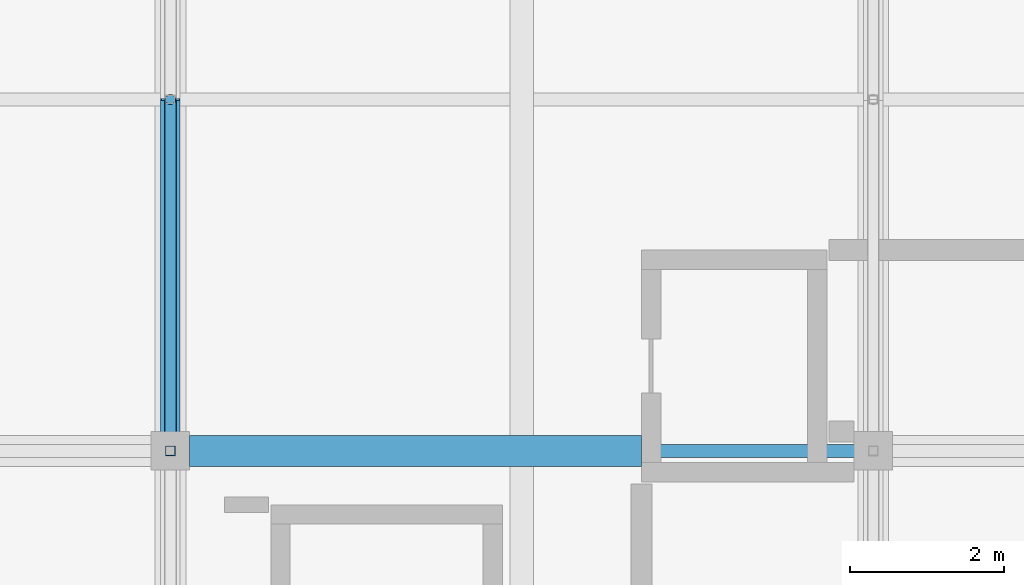
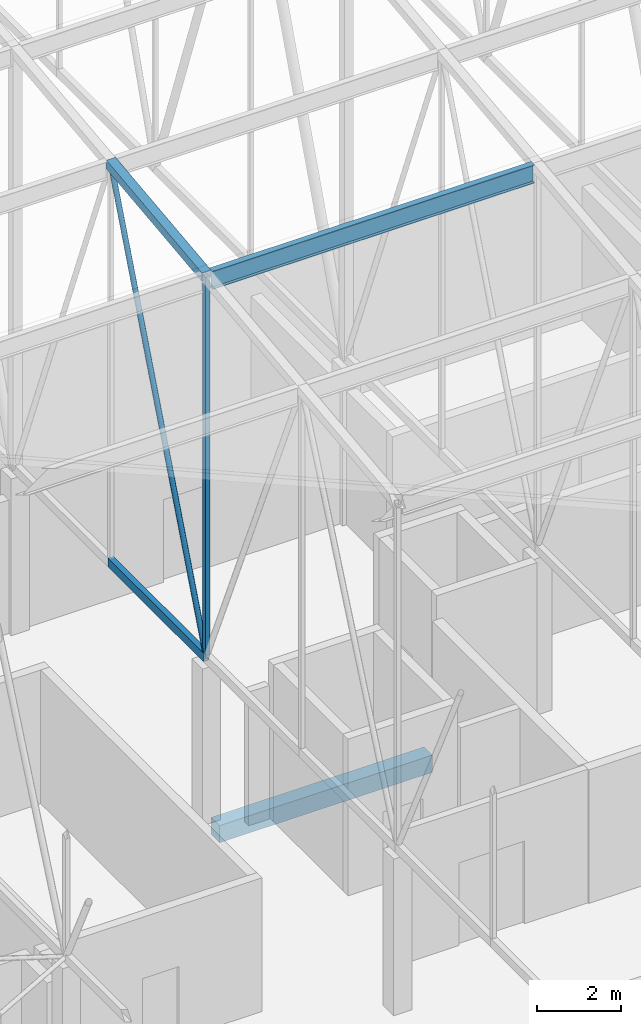
# One storey, part 54 of 500: 5 members, 1 beam.
"""IFC4 building model written with IfcOpenShell, lengths in metres."""

import ifcopenshell
import ifcopenshell.guid

model = None  # the IFC model being written
_history = None  # IfcOwnerHistory: only IFC2X3 demands one
_inside = {}  # id of a spatial element -> (the spatial element, [elements in it])
_under = {}  # id of a project, library or spatial element -> (it, [spatial elements below it])
_declared = {}  # id of a project -> (the project, [libraries it declares])
_typed = {}  # id of a type object -> (the type object, [elements of that type])
_made_of = {}  # id of a material, layer set ... -> (it, [elements and type objects made of it])


def new_model(schema):
    """Start an empty IFC model of exactly this schema.

    Asked for "IFC4X3", IfcOpenShell would pick the latest addendum, in which some entities
    have other attributes; the version numbers below select the first issue.
    IFC2X3 requires an IfcOwnerHistory on every rooted entity: one is made here for all.
    """
    global model, _history
    if schema == "IFC4X3":
        model = ifcopenshell.file(schema_version=(4, 3, 0, 0))
    else:
        model = ifcopenshell.file(schema=schema)
    _inside.clear()
    _under.clear()
    _declared.clear()
    _typed.clear()
    _made_of.clear()
    _history = None
    if model.schema == "IFC2X3":
        org = make("IfcOrganization", Name="unknown")
        user = make(
            "IfcPersonAndOrganization",
            ThePerson=make("IfcPerson", FamilyName="unknown"),
            TheOrganization=org,
        )
        app = make(
            "IfcApplication",
            ApplicationDeveloper=org,
            Version="unknown",
            ApplicationFullName="unknown",
            ApplicationIdentifier="unknown",
        )
        _history = make(
            "IfcOwnerHistory",
            OwningUser=user,
            OwningApplication=app,
            ChangeAction="ADDED",
            CreationDate=0,
        )
    return model


def make(cls, **values):
    """One entity of the class cls with the attributes given. An attribute that is None is left unset."""
    return model.create_entity(
        cls, **{name: value for name, value in values.items() if value is not None}
    )


def rooted(cls, **values):
    """An entity with a GlobalId (a new one), such as an element, a storey or a relation."""
    return make(cls, GlobalId=ifcopenshell.guid.new(), OwnerHistory=_history, **values)


def si_unit(unit_type, name, prefix=None):
    """IfcSIUnit, for example si_unit("LENGTHUNIT", "METRE", prefix="MILLI")."""
    return make("IfcSIUnit", UnitType=unit_type, Prefix=prefix, Name=name)


def assignment(units):
    """IfcUnitAssignment: the units of a project."""
    return None if units is None else make("IfcUnitAssignment", Units=units)


def point(xyz):
    """IfcCartesianPoint."""
    return None if xyz is None else make("IfcCartesianPoint", Coordinates=xyz)


def direction(xyz):
    """IfcDirection."""
    return None if xyz is None else make("IfcDirection", DirectionRatios=xyz)


def frame(location, z_axis=None, x_axis=None):
    """IfcAxis2Placement3D, a coordinate frame: its origin and axes. An axis left out is left unset."""
    return make(
        "IfcAxis2Placement3D",
        Location=point(location),
        Axis=direction(z_axis),
        RefDirection=direction(x_axis),
    )


def frame_2d(location, x_axis=None):
    """IfcAxis2Placement2D, a coordinate frame in the plane: its origin and x axis."""
    return make(
        "IfcAxis2Placement2D", Location=point(location), RefDirection=direction(x_axis)
    )


def origin():
    """The frame at (0, 0, 0) with its axes left unset."""
    return frame((0.0, 0.0, 0.0))


def origin_2d():
    """The frame at (0, 0) in the plane with its x axis left unset."""
    return frame_2d((0.0, 0.0))


def place(relative_to, where):
    """IfcLocalPlacement: puts the frame where relative to a parent placement (None: the world)."""
    return make(
        "IfcLocalPlacement", PlacementRelTo=relative_to, RelativePlacement=where
    )


def context(
    kind, dimensions, precision=None, world=None, true_north=None, identifier=None
):
    """IfcGeometricRepresentationContext, for example the 3D "Model" context."""
    return make(
        "IfcGeometricRepresentationContext",
        ContextIdentifier=identifier,
        ContextType=kind,
        CoordinateSpaceDimension=dimensions,
        Precision=precision,
        WorldCoordinateSystem=world,
        TrueNorth=true_north,
    )


def subcontext(parent, identifier, kind, view, scale=None):
    """IfcGeometricRepresentationSubContext, for example "Body" below "Model"."""
    return make(
        "IfcGeometricRepresentationSubContext",
        ContextIdentifier=identifier,
        ContextType=kind,
        ParentContext=parent,
        TargetScale=scale,
        TargetView=view,
    )


def project(units=None, contexts=None):
    """IfcProject with its units and contexts."""
    return rooted(
        "IfcProject",
        Name="project",
        RepresentationContexts=contexts,
        UnitsInContext=assignment(units),
    )


def spatial(cls, under=None, at=None, **own):
    """A site, building, storey or space (cls), placed at a placement, below another one or the project."""
    s = rooted(cls, ObjectPlacement=at, **own)
    if under is not None:
        _under.setdefault(under.id(), (under, []))[1].append(s)
    return s


def profile(cls, at=None, kind="AREA", **sizes):
    """A parametric profile (cls). Its sizes go by their IFC names, for example OverallWidth=200.0."""
    return make(cls, ProfileType=kind, Position=at, **sizes)


def rectangle(**sizes):
    """IfcRectangleProfileDef."""
    return profile("IfcRectangleProfileDef", **sizes)


def hollow_rectangle(**sizes):
    """IfcRectangleHollowProfileDef."""
    return profile("IfcRectangleHollowProfileDef", **sizes)


def hollow_circle(**sizes):
    """IfcCircleHollowProfileDef."""
    return profile("IfcCircleHollowProfileDef", **sizes)


def i_section(**sizes):
    """IfcIShapeProfileDef."""
    return profile("IfcIShapeProfileDef", **sizes)


def extrude(swept, where, along, depth):
    """IfcExtrudedAreaSolid: the profile swept, set in the frame where, extruded along a direction by depth."""
    return make(
        "IfcExtrudedAreaSolid",
        SweptArea=swept,
        Position=where,
        ExtrudedDirection=direction(along),
        Depth=depth,
    )


def shape(context_of_items, identifier, shape_type, items):
    """IfcShapeRepresentation: the items that make up one representation, for example the "Body"."""
    return make(
        "IfcShapeRepresentation",
        ContextOfItems=context_of_items,
        RepresentationIdentifier=identifier,
        RepresentationType=shape_type,
        Items=items,
    )


def material(Name=None, Category=None):
    """IfcMaterial."""
    return make("IfcMaterial", Name=Name, Category=Category)


def material_profile(
    of_material, cross_section, Name=None, Category=None, Priority=None
):
    """IfcMaterialProfile: a cross section and its material."""
    return make(
        "IfcMaterialProfile",
        Name=Name,
        Material=of_material,
        Profile=cross_section,
        Priority=Priority,
        Category=Category,
    )


def profile_set(profiles, Name=None, composite=None):
    """IfcMaterialProfileSet."""
    return make(
        "IfcMaterialProfileSet",
        Name=Name,
        MaterialProfiles=profiles,
        CompositeProfile=composite,
    )


def made_of(thing, what):
    """Note that an element or type object is made of a material, layer set ...; save() writes the relation."""
    if what is not None:
        _made_of.setdefault(what.id(), (what, []))[1].append(thing)
    return thing


def type_object(cls, material=None, **own):
    """A type object (cls), such as IfcWallType, which elements share."""
    return made_of(rooted(cls, **own), material)


def element(
    cls,
    number,
    at=None,
    inside=None,
    cuts=None,
    type_object=None,
    material=None,
    context=None,
    identifier="Body",
    shape_type=None,
    held_by="IfcProductDefinitionShape",
    body=None,
    shapes=None,
    **own,
):
    """One element of the class cls, such as IfcWall. Its Tag is "e" and its number.

    at: its placement. inside: the storey or other place that contains it. cuts: it is an
    opening in that element (IfcRelVoidsElement). A single representation is given by context,
    identifier, shape_type and body (its items); several are given by shapes. held_by: the class
    of the entity that holds the representations. save() writes the other relations.
    """
    e = rooted(cls, Tag="e%d" % number, ObjectPlacement=at, **own)
    if body is not None:
        shapes = [shape(context, identifier, shape_type, body)]
    if shapes is not None:
        e.Representation = make(held_by, Representations=shapes)
    if inside is not None:
        _inside.setdefault(inside.id(), (inside, []))[1].append(e)
    if cuts is not None:
        rooted(
            "IfcRelVoidsElement", RelatingBuildingElement=cuts, RelatedOpeningElement=e
        )
    if type_object is not None:
        _typed.setdefault(type_object.id(), (type_object, []))[1].append(e)
    return made_of(e, material)


def aggregate(whole, parts):
    """IfcRelAggregates: a whole, such as a stair, and the parts it consists of."""
    return rooted("IfcRelAggregates", RelatingObject=whole, RelatedObjects=parts)


def save(model, path):
    """Write the relations noted so far, then the file.

    IfcRelAggregates (storeys below a building ...), IfcRelContainedInSpatialStructure (elements
    in a storey), IfcRelDefinesByType, IfcRelAssociatesMaterial and IfcRelDeclares: one each for
    every whole, place, type object, material and project.
    """
    for whole, parts in _under.values():
        aggregate(whole, parts)
    for where, things in _inside.values():
        rooted(
            "IfcRelContainedInSpatialStructure",
            RelatedElements=things,
            RelatingStructure=where,
        )
    for kind, things in _typed.values():
        rooted("IfcRelDefinesByType", RelatedObjects=things, RelatingType=kind)
    for what, things in _made_of.values():
        rooted("IfcRelAssociatesMaterial", RelatedObjects=things, RelatingMaterial=what)
    for by, libraries in _declared.values():
        rooted("IfcRelDeclares", RelatingContext=by, RelatedDefinitions=libraries)
    model.write(path)


model = new_model("IFC4")

# Units and contexts
model_context = context("Model", 3, precision=1e-05, world=origin(), true_north=direction((0.0, 1.0)))
body_context = subcontext(model_context, "Body", "Model", "MODEL_VIEW")
ifc_project = project(units=[si_unit("LENGTHUNIT", "METRE"), si_unit("AREAUNIT", "SQUARE_METRE"), si_unit("VOLUMEUNIT", "CUBIC_METRE"), si_unit("PLANEANGLEUNIT", "RADIAN"), si_unit("MASSUNIT", "GRAM", prefix="KILO")], contexts=[model_context])

# Site, building, storey
site_placement = place(None, origin())
site = spatial("IfcSite", under=ifc_project, at=site_placement, CompositionType="ELEMENT")
building_placement = place(site_placement, origin())
building = spatial("IfcBuilding", under=site, at=building_placement, Name="Shirokan Park Arena", CompositionType="ELEMENT")
storey_placement = place(building_placement, frame((0.0, 0.0, 29.1201171875)))
storey = spatial("IfcBuildingStorey", under=building, at=storey_placement, Name="L06", CompositionType="ELEMENT", Elevation=29.1201171875)

# Members
ifc_material_1 = material(Name="Steel ASTM A500 Grade C", Category="steel")
ifc_material_profile_1 = material_profile(ifc_material_1, hollow_rectangle(XDim=0.152099609375, YDim=0.25390625, WallThickness=0.009521484375, at=origin_2d()), Name="HSS254X152.4X9.5")
ifc_profile_set_1 = profile_set([ifc_material_profile_1], Name="Steel ASTM A500 Grade C")
member_type_1 = type_object("IfcMemberType", Name="Bottom chord HSS254X152.4X9.5", PredefinedType="CHORD", material=ifc_profile_set_1)
member_1_placement = place(storey_placement, frame((18.199951171875, 27.300048828125, 4.677001953125), z_axis=(0.0, 1.0, 0.0), x_axis=(-1.0, 0.0, 0.0)))
element("IfcMember", 1, at=member_1_placement, inside=storey, type_object=member_type_1, Name="Truss T03 bottom chord 9", PredefinedType="CHORD", context=body_context, shape_type="SweptSolid", body=[
    extrude(hollow_rectangle(XDim=0.152099609375, YDim=0.25390625, WallThickness=0.009521484375, at=origin_2d()), origin(), (0.0, 0.0, 1.0), 4.550048828125),
])
ifc_material_2 = material(Name="Steel ASTM A992", Category="steel")
ifc_material_profile_2 = material_profile(ifc_material_2, i_section(OverallWidth=0.166015625, OverallDepth=0.528076171875, WebThickness=0.009765625, FlangeThickness=0.013671875, at=origin_2d()), Name="W530X74")
ifc_profile_set_2 = profile_set([ifc_material_profile_2], Name="Steel ASTM A992")
member_type_2 = type_object("IfcMemberType", Name="Purlin W530X74", PredefinedType="PURLIN", material=ifc_profile_set_2)
member_2_placement = place(storey_placement, frame((18.326904296875, 27.300048828125, 15.60595703125), z_axis=(1.0, 0.0, 0.0), x_axis=(0.0, 1.0, 0.0)))
element("IfcMember", 2, at=member_2_placement, inside=storey, type_object=member_type_2, Name="Purlin 9 bay 3", PredefinedType="PURLIN", context=body_context, shape_type="SweptSolid", body=[
    extrude(i_section(OverallWidth=0.166015625, OverallDepth=0.528076171875, WebThickness=0.009765625, FlangeThickness=0.013671875, at=origin_2d()), origin(), (0.0, 0.0, 1.0), 8.84619140625),
])

# Beam
ifc_material_3 = material(Name="Concrete C35", Category="concrete")
ifc_material_profile_3 = material_profile(ifc_material_3, rectangle(XDim=0.39990234375, YDim=0.5, at=origin_2d()), Name="400x500")
ifc_profile_set_3 = profile_set([ifc_material_profile_3], Name="Concrete C35")
beam_type = type_object("IfcBeamType", Name="RC girder 400x500", PredefinedType="BEAM", material=ifc_profile_set_3)
beam_placement = place(storey_placement, frame((18.4501953125, 27.300048828125, -0.4501953125), z_axis=(1.0, 0.0, 0.0), x_axis=(0.0, 1.0, 0.0)))
element("IfcBeam", 3, at=beam_placement, inside=storey, type_object=beam_type, Name="Girder 3D-4D L06", PredefinedType="BEAM", context=body_context, shape_type="SweptSolid", body=[
    extrude(rectangle(XDim=0.39990234375, YDim=0.5, at=origin_2d()), origin(), (0.0, 0.0, 1.0), 5.849853515625),
])

# Members
ifc_material_profile_4 = material_profile(ifc_material_1, hollow_rectangle(XDim=0.25390625, YDim=0.25390625, WallThickness=0.009521484375, at=origin_2d()), Name="HSS254X254X9.5")
ifc_profile_set_4 = profile_set([ifc_material_profile_4], Name="Steel ASTM A500 Grade C")
member_type_3 = type_object("IfcMemberType", Name="Top chord HSS254X254X9.5", PredefinedType="CHORD", material=ifc_profile_set_4)
member_3_placement = place(storey_placement, frame((18.199951171875, 27.300048828125, 15.742919921875), z_axis=(0.0, 0.993532328996, 0.113549598152), x_axis=(-1.0, 0.0, 0.0)))
element("IfcMember", 4, at=member_3_placement, inside=storey, type_object=member_type_3, Name="Truss T03 top chord 9", PredefinedType="CHORD", context=body_context, shape_type="SweptSolid", body=[
    extrude(hollow_rectangle(XDim=0.25390625, YDim=0.25390625, WallThickness=0.009521484375, at=origin_2d()), origin(), (0.0, 0.0, 1.0), 4.57958984375),
])
ifc_material_profile_5 = material_profile(ifc_material_1, hollow_circle(Radius=0.070556640625, WallThickness=0.006591796875, at=origin_2d()), Name="HSS141.3X6.6")
ifc_profile_set_5 = profile_set([ifc_material_profile_5], Name="Steel ASTM A500 Grade C")
member_type_4 = type_object("IfcMemberType", Name="Truss diagonal HSS141.3X6.6", PredefinedType="BRACE", material=ifc_profile_set_5)
member_4_placement = place(storey_placement, frame((18.199951171875, 27.300048828125, 4.677001953125), z_axis=(0.0, 0.365543139237, 0.930794399079), x_axis=(-1.0, 0.0, 0.0)))
element("IfcMember", 5, at=member_4_placement, inside=storey, type_object=member_type_4, Name="Truss T03 diagonal 9", PredefinedType="BRACE", context=body_context, shape_type="SweptSolid", body=[
    extrude(hollow_circle(Radius=0.070556640625, WallThickness=0.006591796875, at=origin_2d()), origin(), (0.0, 0.0, 1.0), 12.447265625),
])
ifc_material_profile_6 = material_profile(ifc_material_1, hollow_rectangle(XDim=0.126953125, YDim=0.126953125, WallThickness=0.008056640625, at=origin_2d()), Name="HSS127X127X7.9")
ifc_profile_set_6 = profile_set([ifc_material_profile_6], Name="Steel ASTM A500 Grade C")
member_type_5 = type_object("IfcMemberType", Name="Truss post HSS127X127X7.9", PredefinedType="POST", material=ifc_profile_set_6)
member_5_placement = place(storey_placement, frame((18.199951171875, 27.300048828125, 4.677001953125), z_axis=(0.0, 0.0, 1.0), x_axis=(1.0, 0.0, 0.0)))
element("IfcMember", 6, at=member_5_placement, inside=storey, type_object=member_type_5, Name="Truss T03 post 9", PredefinedType="POST", context=body_context, shape_type="SweptSolid", body=[
    extrude(hollow_rectangle(XDim=0.126953125, YDim=0.126953125, WallThickness=0.008056640625, at=origin_2d()), origin(), (0.0, 0.0, 1.0), 11.06591796875),
])

save(model, "model.ifc")
